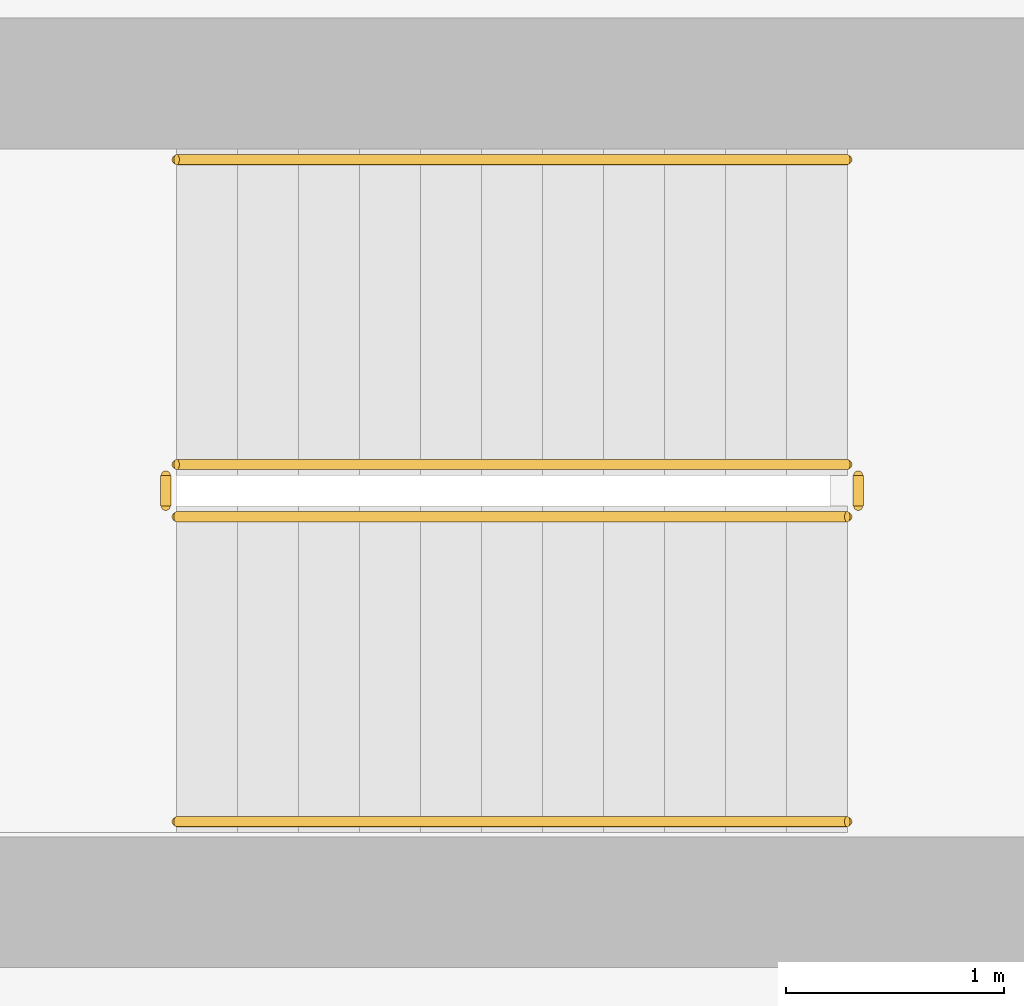
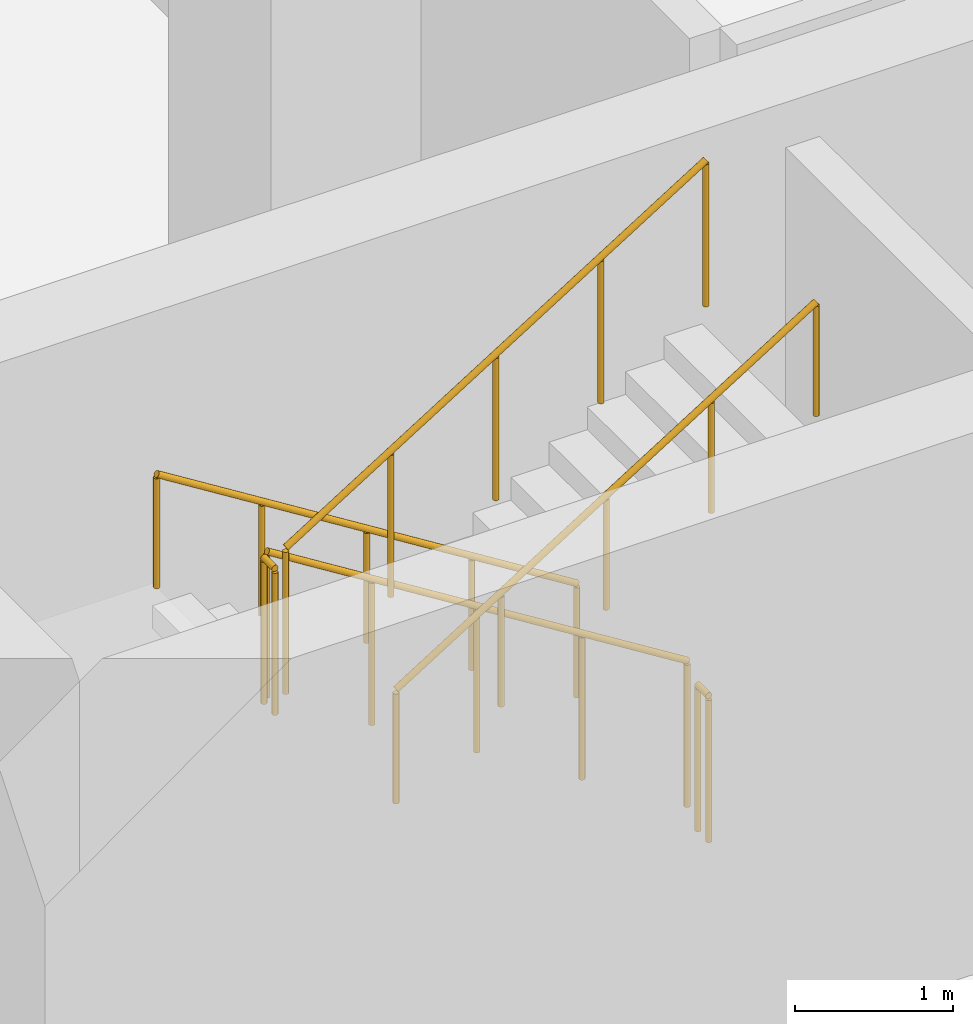
# One storey, part 10 of 13: 6 railings.
"""IFC4 building model written with IfcOpenShell, lengths in metres."""

from ifc_helpers import new_model, si_unit, derived_unit, direction, frame, origin, origin_2d, place, context, subcontext, project, spatial, circle, extrude, material, type_object, element, save


model = new_model("IFC4")

# Units and contexts
model_context = context("Model", 3, precision=1e-05, world=origin(), true_north=direction((0.0, 1.0)))
body_context = subcontext(model_context, "Body", "Model", "MODEL_VIEW")
ifc_project = project(units=[si_unit("LENGTHUNIT", "METRE"), si_unit("AREAUNIT", "SQUARE_METRE"), si_unit("VOLUMEUNIT", "CUBIC_METRE"), si_unit("PLANEANGLEUNIT", "RADIAN"), si_unit("MASSUNIT", "GRAM", prefix="KILO"), derived_unit("THERMALTRANSMITTANCEUNIT", [(si_unit("POWERUNIT", "WATT"), 1), (si_unit("LENGTHUNIT", "METRE"), -2), (si_unit("THERMODYNAMICTEMPERATUREUNIT", "KELVIN"), -1)])], contexts=[model_context])

# Site, building, storey
site_placement = place(None, origin())
site = spatial("IfcSite", under=ifc_project, at=site_placement, CompositionType="ELEMENT")
building_placement = place(site_placement, origin())
building = spatial("IfcBuilding", under=site, at=building_placement, Name="Kivonza Crest Hotel", CompositionType="ELEMENT")
storey_placement = place(building_placement, frame((0.0, 0.0, -4.199951171875)))
storey = spatial("IfcBuildingStorey", under=building, at=storey_placement, Name="B1", CompositionType="ELEMENT", Elevation=-4.199951171875)

# Railings
ifc_material_1 = material(Name="Brushed stainless steel handrail", Category="steel")
railing_type_1 = type_object("IfcRailingType", Name="RL-HAND-900", PredefinedType="HANDRAIL", material=ifc_material_1)
railing_1_placement = place(storey_placement, frame((12.239990234375, 16.949951171875, 0.175048828125)))
element("IfcRailing", 1, at=railing_1_placement, inside=storey, type_object=railing_type_1, Name="B1 ST-T1-S stair handrail 1", PredefinedType="HANDRAIL", context=body_context, shape_type="SweptSolid", body=[
    extrude(circle(Radius=0.02392578125, at=origin_2d()), frame((0.0, 0.0, 0.8759765625), z_axis=(-0.848028513186, 0.0, 0.529950602248), x_axis=(0.0, -1.0, 0.0)), (0.0, 0.0, 1.0), 3.632080078125),
    extrude(circle(Radius=0.02099609375, at=origin_2d()), origin(), (0.0, 0.0, 1.0), 0.851806640625),
    extrude(circle(Radius=0.02099609375, at=origin_2d()), frame((-0.77001953125, 0.0, 0.481201171875)), (0.0, 0.0, 1.0), 0.851806640625),
    extrude(circle(Radius=0.02099609375, at=origin_2d()), frame((-1.5400390625, 0.0, 0.96240234375)), (0.0, 0.0, 1.0), 0.851806640625),
    extrude(circle(Radius=0.02099609375, at=origin_2d()), frame((-2.31005859375, 0.0, 1.443603515625)), (0.0, 0.0, 1.0), 0.851806640625),
    extrude(circle(Radius=0.02099609375, at=origin_2d()), frame((-3.080078125, 0.0, 1.9248046875)), (0.0, 0.0, 1.0), 0.851806640625),
])
railing_2_placement = place(storey_placement, frame((9.159912109375, 13.909912109375, 2.27490234375)))
element("IfcRailing", 2, at=railing_2_placement, inside=storey, type_object=railing_type_1, Name="B1 ST-T1-S stair handrail 2", PredefinedType="HANDRAIL", context=body_context, shape_type="SweptSolid", body=[
    extrude(circle(Radius=0.02392578125, at=origin_2d()), frame((0.0, 0.0, 0.8759765625), z_axis=(0.847998304005, 0.0, 0.529998940003), x_axis=(0.0, 1.0, 0.0)), (0.0, 0.0, 1.0), 3.632080078125),
    extrude(circle(Radius=0.02099609375, at=origin_2d()), origin(), (0.0, 0.0, 1.0), 0.851806640625),
    extrude(circle(Radius=0.02099609375, at=origin_2d()), frame((0.77001953125, 0.0, 0.481201171875)), (0.0, 0.0, 1.0), 0.851806640625),
    extrude(circle(Radius=0.02099609375, at=origin_2d()), frame((1.5400390625, 0.0, 0.96240234375)), (0.0, 0.0, 1.0), 0.851806640625),
    extrude(circle(Radius=0.02099609375, at=origin_2d()), frame((2.31005859375, 0.0, 1.44384765625)), (0.0, 0.0, 1.0), 0.851806640625),
    extrude(circle(Radius=0.02099609375, at=origin_2d()), frame((3.080078125, 0.0, 1.925048828125)), (0.0, 0.0, 1.0), 0.851806640625),
])
ifc_material_2 = material(Name="Painted steel balustrade", Category="steel")
railing_type_2 = type_object("IfcRailingType", Name="RL-STAIR-1150", PredefinedType="BALUSTRADE", material=ifc_material_2)
railing_3_placement = place(storey_placement, frame((12.239990234375, 15.550048828125, 0.175048828125)))
element("IfcRailing", 3, at=railing_3_placement, inside=storey, type_object=railing_type_2, Name="B1 ST-T1-S stair guard 1", PredefinedType="BALUSTRADE", context=body_context, shape_type="SweptSolid", body=[
    extrude(circle(Radius=0.02392578125, at=origin_2d()), frame((0.0, 0.0, 1.1259765625), z_axis=(-0.848028513186, 0.0, 0.529950602248), x_axis=(0.0, -1.0, 0.0)), (0.0, 0.0, 1.0), 3.632080078125),
    extrude(circle(Radius=0.02099609375, at=origin_2d()), origin(), (0.0, 0.0, 1.0), 1.101806640625),
    extrude(circle(Radius=0.02099609375, at=origin_2d()), frame((-0.77001953125, 0.0, 0.481201171875)), (0.0, 0.0, 1.0), 1.101806640625),
    extrude(circle(Radius=0.02099609375, at=origin_2d()), frame((-1.5400390625, 0.0, 0.96240234375)), (0.0, 0.0, 1.0), 1.101806640625),
    extrude(circle(Radius=0.02099609375, at=origin_2d()), frame((-2.31005859375, 0.0, 1.443603515625)), (0.0, 0.0, 1.0), 1.101806640625),
    extrude(circle(Radius=0.02099609375, at=origin_2d()), frame((-3.080078125, 0.0, 1.9248046875)), (0.0, 0.0, 1.0), 1.101806640625),
])
railing_4_placement = place(storey_placement, frame((9.110107421875, 15.5, 2.099853515625)))
element("IfcRailing", 4, at=railing_4_placement, inside=storey, type_object=railing_type_2, Name="B1 ST-T1-S stair guard 2", PredefinedType="BALUSTRADE", context=body_context, shape_type="SweptSolid", body=[
    extrude(circle(Radius=0.02392578125, at=origin_2d()), frame((0.0, 0.0, 1.1259765625), z_axis=(0.0, -1.0, 0.0), x_axis=(1.0, 0.0, 0.0)), (0.0, 0.0, 1.0), 0.139892578125),
    extrude(circle(Radius=0.02099609375, at=origin_2d()), origin(), (0.0, 0.0, 1.0), 1.101806640625),
    extrude(circle(Radius=0.02099609375, at=origin_2d()), frame((0.0, -0.139892578125, 0.0)), (0.0, 0.0, 1.0), 1.101806640625),
])
railing_5_placement = place(storey_placement, frame((9.159912109375, 15.31005859375, 2.27490234375)))
element("IfcRailing", 5, at=railing_5_placement, inside=storey, type_object=railing_type_2, Name="B1 ST-T1-S stair guard 3", PredefinedType="BALUSTRADE", context=body_context, shape_type="SweptSolid", body=[
    extrude(circle(Radius=0.02392578125, at=origin_2d()), frame((0.0, 0.0, 1.1259765625), z_axis=(0.847998304005, 0.0, 0.529998940003), x_axis=(0.0, 1.0, 0.0)), (0.0, 0.0, 1.0), 3.632080078125),
    extrude(circle(Radius=0.02099609375, at=origin_2d()), origin(), (0.0, 0.0, 1.0), 1.101806640625),
    extrude(circle(Radius=0.02099609375, at=origin_2d()), frame((0.77001953125, 0.0, 0.481201171875)), (0.0, 0.0, 1.0), 1.101806640625),
    extrude(circle(Radius=0.02099609375, at=origin_2d()), frame((1.5400390625, 0.0, 0.96240234375)), (0.0, 0.0, 1.0), 1.101806640625),
    extrude(circle(Radius=0.02099609375, at=origin_2d()), frame((2.31005859375, 0.0, 1.44384765625)), (0.0, 0.0, 1.0), 1.101806640625),
    extrude(circle(Radius=0.02099609375, at=origin_2d()), frame((3.080078125, 0.0, 1.925048828125)), (0.0, 0.0, 1.0), 1.101806640625),
])
railing_6_placement = place(storey_placement, frame((12.2900390625, 15.5, 0.0)))
element("IfcRailing", 6, at=railing_6_placement, inside=storey, type_object=railing_type_2, Name="B1 ST-T1-S stair guard 4", PredefinedType="BALUSTRADE", context=body_context, shape_type="SweptSolid", body=[
    extrude(circle(Radius=0.02392578125, at=origin_2d()), frame((0.0, 0.0, 1.1259765625), z_axis=(0.0, -1.0, 0.0), x_axis=(1.0, 0.0, 0.0)), (0.0, 0.0, 1.0), 0.139892578125),
    extrude(circle(Radius=0.02099609375, at=origin_2d()), origin(), (0.0, 0.0, 1.0), 1.101806640625),
    extrude(circle(Radius=0.02099609375, at=origin_2d()), frame((0.0, -0.139892578125, 0.0)), (0.0, 0.0, 1.0), 1.101806640625),
])

save(model, "model.ifc")
